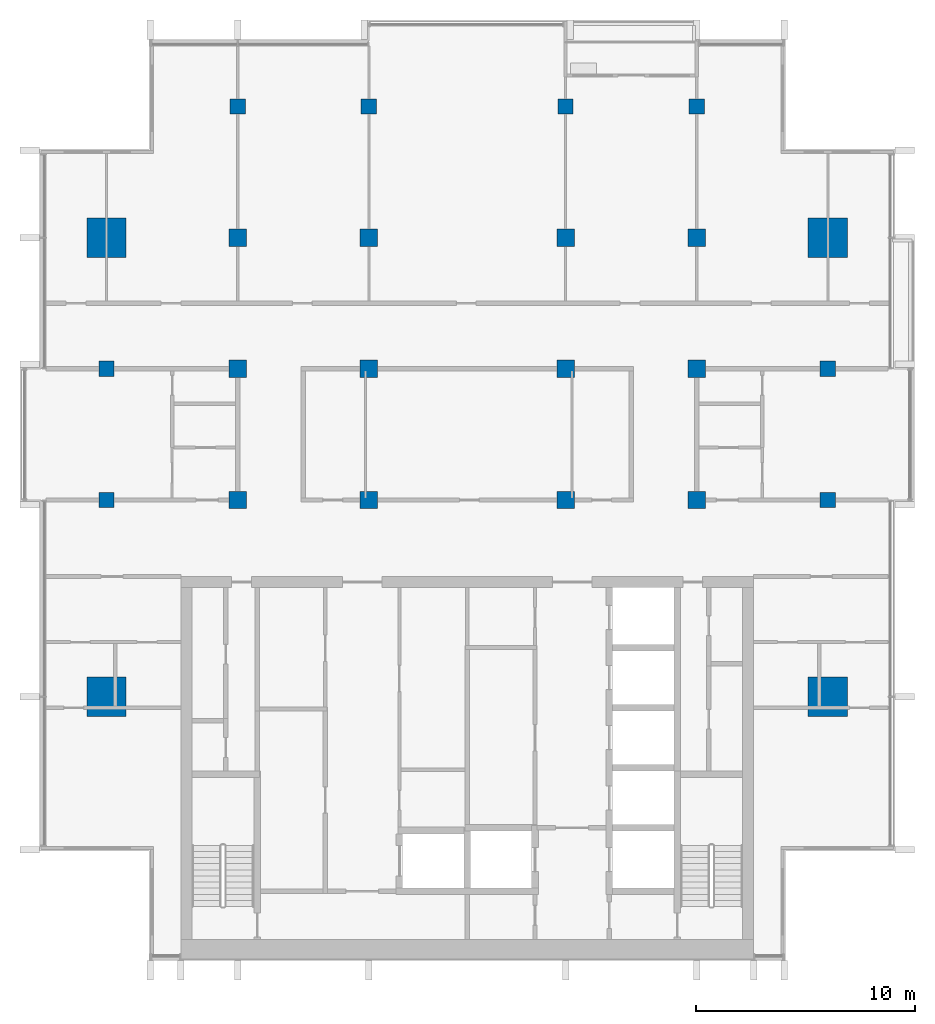
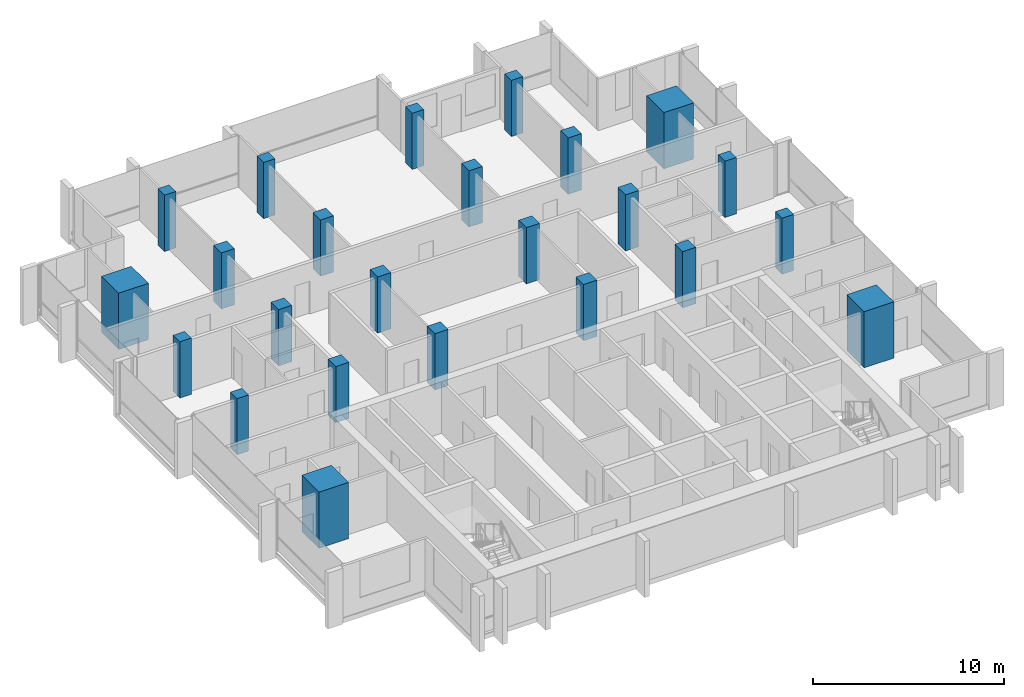
# One storey, part 1 of 15: 24 columns.
"""IFC4 building model written with IfcOpenShell, lengths in metres."""

from ifc_helpers import new_model, si_unit, direction, frame, origin, origin_2d, place, context, subcontext, project, spatial, rectangle, extrude, material, material_profile, profile_set, type_object, element, save


model = new_model("IFC4")

# Units and contexts
model_context = context("Model", 3, precision=1e-05, world=origin(), true_north=direction((0.0, 1.0)))
body_context = subcontext(model_context, "Body", "Model", "MODEL_VIEW")
ifc_project = project(units=[si_unit("LENGTHUNIT", "METRE"), si_unit("AREAUNIT", "SQUARE_METRE"), si_unit("VOLUMEUNIT", "CUBIC_METRE"), si_unit("PLANEANGLEUNIT", "RADIAN"), si_unit("MASSUNIT", "GRAM", prefix="KILO")], contexts=[model_context])

# Site, building, storey
site_placement = place(None, origin())
site = spatial("IfcSite", under=ifc_project, at=site_placement, CompositionType="ELEMENT")
building_placement = place(site_placement, origin())
building = spatial("IfcBuilding", under=site, at=building_placement, Name="Finial Court Residences", CompositionType="ELEMENT")
storey_placement = place(building_placement, frame((0.0, 0.0, 273.5)))
storey = spatial("IfcBuildingStorey", under=building, at=storey_placement, Name="L69", CompositionType="ELEMENT", Elevation=273.5)

# Columns
ifc_material = material(Name="Concrete C50/60", Category="concrete")
ifc_material_profile_1 = material_profile(ifc_material, rectangle(XDim=0.800048828125, YDim=0.800048828125, at=origin_2d()), Name="800x800")
ifc_profile_set_1 = profile_set([ifc_material_profile_1], Name="Concrete C50/60")
column_type_1 = type_object("IfcColumnType", Name="Interior column 800x800 Concrete C50/60", PredefinedType="COLUMN", material=ifc_profile_set_1)
for number, where, z_axis, x_axis, name in (
    (1, (-10.5, -4.5, 0.0), (0.0, 0.0, 1.0), (1.0, 0.0, 0.0), "S:COL:L69:D4"),
    (2, (-10.5, 1.5, 0.0), (0.0, 0.0, 1.0), (1.0, 0.0, 0.0), "S:COL:L69:D5"),
    (3, (-10.5, 7.5, 0.0), (0.0, 0.0, 1.0), (1.0, 0.0, 0.0), "S:COL:L69:D6"),
    (4, (-4.5, -4.5, 0.0), (0.0, 0.0, 1.0), (1.0, 0.0, 0.0), "S:COL:L69:E4"),
    (5, (-4.5, 1.5, 0.0), (0.0, 0.0, 1.0), (1.0, 0.0, 0.0), "S:COL:L69:E5"),
    (6, (-4.5, 7.5, 0.0), (0.0, 0.0, 1.0), (1.0, 0.0, 0.0), "S:COL:L69:E6"),
    (7, (4.5, -4.5, 0.0), (0.0, 0.0, 1.0), (1.0, 0.0, 0.0), "S:COL:L69:F4"),
    (8, (4.5, 1.5, 0.0), (0.0, 0.0, 1.0), (1.0, 0.0, 0.0), "S:COL:L69:F5"),
    (9, (4.5, 7.5, 0.0), (0.0, 0.0, 1.0), (1.0, 0.0, 0.0), "S:COL:L69:F6"),
    (10, (10.5, -4.5, 0.0), (0.0, 0.0, 1.0), (1.0, 0.0, 0.0), "S:COL:L69:G4"),
    (11, (10.5, 1.5, 0.0), (0.0, 0.0, 1.0), (1.0, 0.0, 0.0), "S:COL:L69:G5"),
    (12, (10.5, 7.5, 0.0), (0.0, 0.0, 1.0), (1.0, 0.0, 0.0), "S:COL:L69:G6"),
):
    element("IfcColumn", number, at=place(storey_placement, frame(where, z_axis=z_axis, x_axis=x_axis)), inside=storey, type_object=column_type_1, Name=name, PredefinedType="COLUMN", context=body_context, shape_type="SweptSolid", body=[
        extrude(rectangle(XDim=0.800048828125, YDim=0.800048828125, at=origin_2d()), origin(), (0.0, 0.0, 1.0), 3.60009765625),
    ])
ifc_material_profile_2 = material_profile(ifc_material, rectangle(XDim=1.800048828125, YDim=1.800048828125, at=origin_2d()), Name="1800x1800")
ifc_profile_set_2 = profile_set([ifc_material_profile_2], Name="Concrete C50/60")
column_type_2 = type_object("IfcColumnType", Name="Mega column 1800x1800 Concrete C50/60", PredefinedType="COLUMN", material=ifc_profile_set_2)
for number, where, z_axis, x_axis, name in (
    (13, (-16.5, -13.5, 0.0), (0.0, 0.0, 1.0), (1.0, 0.0, 0.0), "S:COL:L69:C3"),
    (14, (-16.5, 7.5, 0.0), (0.0, 0.0, 1.0), (1.0, 0.0, 0.0), "S:COL:L69:C6"),
    (15, (16.5, -13.5, 0.0), (0.0, 0.0, 1.0), (1.0, 0.0, 0.0), "S:COL:L69:H3"),
    (16, (16.5, 7.5, 0.0), (0.0, 0.0, 1.0), (1.0, 0.0, 0.0), "S:COL:L69:H6"),
):
    element("IfcColumn", number, at=place(storey_placement, frame(where, z_axis=z_axis, x_axis=x_axis)), inside=storey, type_object=column_type_2, Name=name, PredefinedType="COLUMN", context=body_context, shape_type="SweptSolid", body=[
        extrude(rectangle(XDim=1.800048828125, YDim=1.800048828125, at=origin_2d()), origin(), (0.0, 0.0, 1.0), 3.60009765625),
    ])
ifc_material_profile_3 = material_profile(ifc_material, rectangle(XDim=0.699951171875, YDim=0.699951171875, at=origin_2d()), Name="700x700")
ifc_profile_set_3 = profile_set([ifc_material_profile_3], Name="Concrete C50/60")
column_type_3 = type_object("IfcColumnType", Name="Perimeter column 700x700 Concrete C50/60", PredefinedType="COLUMN", material=ifc_profile_set_3)
for number, where, z_axis, x_axis, name in (
    (17, (-16.5, -4.5, 0.0), (0.0, 0.0, 1.0), (1.0, 0.0, 0.0), "S:COL:L69:C4"),
    (18, (-16.5, 1.5, 0.0), (0.0, 0.0, 1.0), (1.0, 0.0, 0.0), "S:COL:L69:C5"),
    (19, (-10.5, 13.5, 0.0), (0.0, 0.0, 1.0), (1.0, 0.0, 0.0), "S:COL:L69:D7"),
    (20, (-4.5, 13.5, 0.0), (0.0, 0.0, 1.0), (1.0, 0.0, 0.0), "S:COL:L69:E7"),
    (21, (4.5, 13.5, 0.0), (0.0, 0.0, 1.0), (1.0, 0.0, 0.0), "S:COL:L69:F7"),
    (22, (10.5, 13.5, 0.0), (0.0, 0.0, 1.0), (1.0, 0.0, 0.0), "S:COL:L69:G7"),
    (23, (16.5, -4.5, 0.0), (0.0, 0.0, 1.0), (1.0, 0.0, 0.0), "S:COL:L69:H4"),
    (24, (16.5, 1.5, 0.0), (0.0, 0.0, 1.0), (1.0, 0.0, 0.0), "S:COL:L69:H5"),
):
    element("IfcColumn", number, at=place(storey_placement, frame(where, z_axis=z_axis, x_axis=x_axis)), inside=storey, type_object=column_type_3, Name=name, PredefinedType="COLUMN", context=body_context, shape_type="SweptSolid", body=[
        extrude(rectangle(XDim=0.699951171875, YDim=0.699951171875, at=origin_2d()), origin(), (0.0, 0.0, 1.0), 3.60009765625),
    ])

save(model, "model.ifc")
